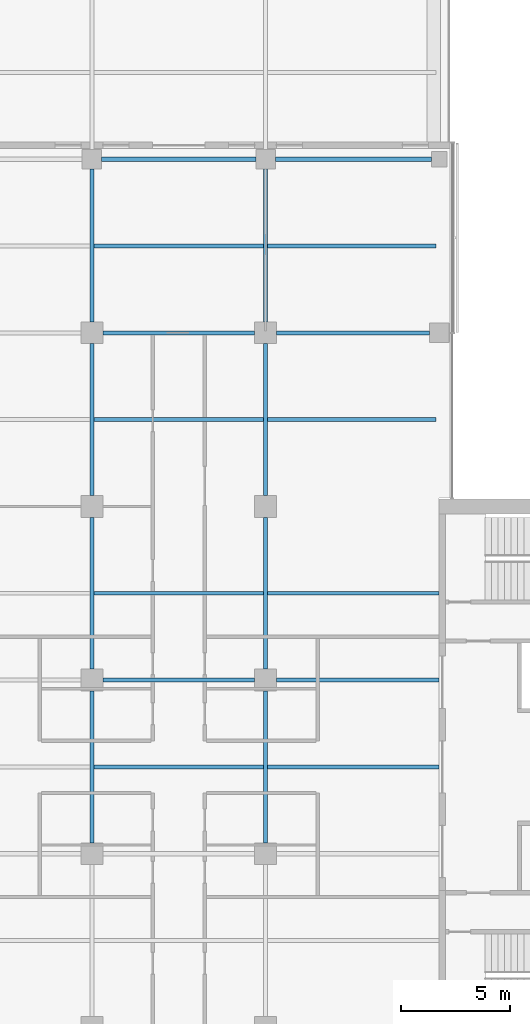
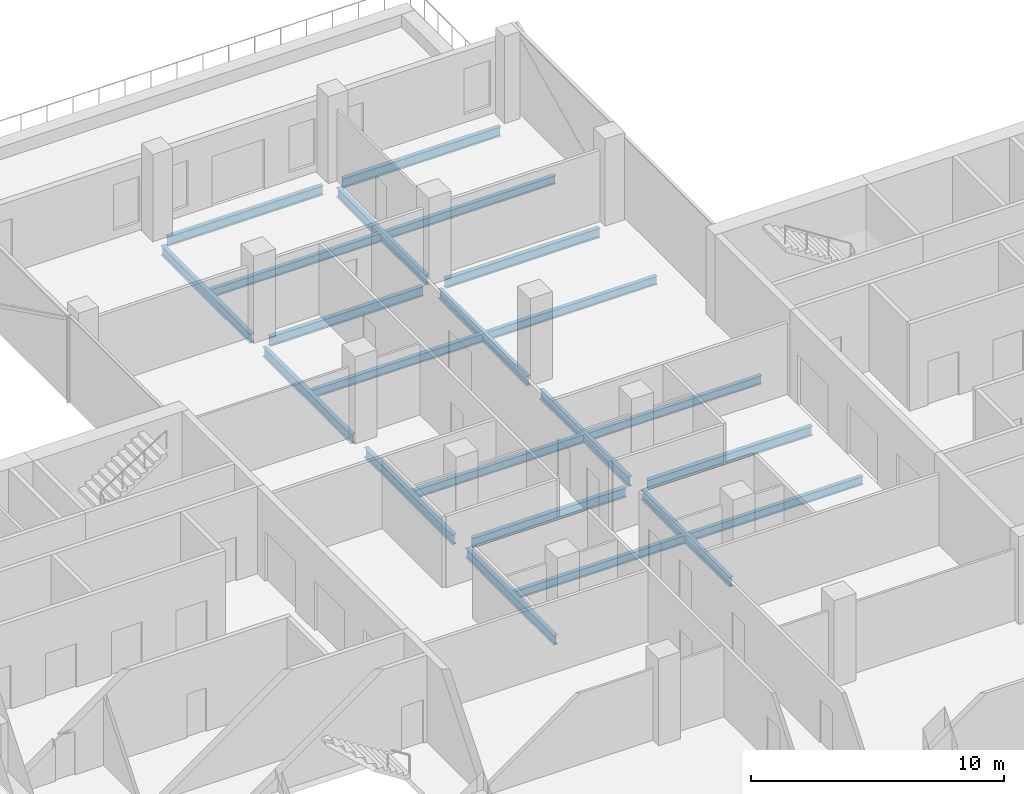
# One storey, part 10 of 24: 22 beams.
"""IFC4 building model written with IfcOpenShell, lengths in metres."""

from ifc_helpers import new_model, si_unit, direction, frame, origin, origin_2d, place, context, subcontext, project, spatial, i_section, extrude, material, material_profile, profile_set, type_object, element, save


model = new_model("IFC4")

# Units and contexts
model_context = context("Model", 3, precision=1e-05, world=origin(), true_north=direction((0.0, 1.0)))
body_context = subcontext(model_context, "Body", "Model", "MODEL_VIEW")
ifc_project = project(units=[si_unit("LENGTHUNIT", "METRE"), si_unit("AREAUNIT", "SQUARE_METRE"), si_unit("VOLUMEUNIT", "CUBIC_METRE"), si_unit("PLANEANGLEUNIT", "RADIAN"), si_unit("MASSUNIT", "GRAM", prefix="KILO")], contexts=[model_context])

# Site, building, storey
site_placement = place(None, origin())
site = spatial("IfcSite", under=ifc_project, at=site_placement, CompositionType="ELEMENT")
building_placement = place(site_placement, origin())
building = spatial("IfcBuilding", under=site, at=building_placement, Name="Crosswind Convention Tower", CompositionType="ELEMENT")
storey_placement = place(building_placement, frame((0.0, 0.0, 112.699951171875)))
storey = spatial("IfcBuildingStorey", under=building, at=storey_placement, Name="L22", CompositionType="ELEMENT", Elevation=112.699951171875)

# Beams
ifc_material = material(Name="Steel S355", Category="steel")
ifc_material_profile_1 = material_profile(ifc_material, i_section(OverallWidth=0.19140625, OverallDepth=0.460205078125, WebThickness=0.010009765625, FlangeThickness=0.01611328125, FilletRadius=0.01025390625, at=origin_2d()), Name="UB 457x191x82")
ifc_profile_set_1 = profile_set([ifc_material_profile_1], Name="Steel S355")
beam_type_1 = type_object("IfcBeamType", Name="Girder UB 457x191x82", PredefinedType="BEAM", material=ifc_profile_set_1)
for number, where, z_axis, x_axis, name in (
    (1, (121.0, 96.5, -0.530029296875), (0.0, 1.0, 0.0), (-1.0, 0.0, 0.0), "B3 L22 girder 9"),
    (2, (121.0, 104.5, -0.530029296875), (0.0, 1.0, 0.0), (-1.0, 0.0, 0.0), "B3 L22 girder 10"),
    (3, (121.0, 112.5, -0.530029296875), (0.0, 1.0, 0.0), (-1.0, 0.0, 0.0), "B3 L22 girder 11"),
):
    element("IfcBeam", number, at=place(storey_placement, frame(where, z_axis=z_axis, x_axis=x_axis)), inside=storey, type_object=beam_type_1, Name=name, PredefinedType="BEAM", context=body_context, shape_type="SweptSolid", body=[
        extrude(i_section(OverallWidth=0.19140625, OverallDepth=0.460205078125, WebThickness=0.010009765625, FlangeThickness=0.01611328125, FilletRadius=0.01025390625, at=origin_2d()), origin(), (0.0, 0.0, 1.0), 7.0),
    ])
beam_1_placement = place(storey_placement, frame((121.0, 120.5, -0.530029296875), z_axis=(0.0, 1.0, 0.0), x_axis=(-1.0, 0.0, 0.0)))
element("IfcBeam", 4, at=beam_1_placement, inside=storey, type_object=beam_type_1, Name="B3 L22 girder 12", PredefinedType="BEAM", context=body_context, shape_type="SweptSolid", body=[
    extrude(i_section(OverallWidth=0.19140625, OverallDepth=0.460205078125, WebThickness=0.010009765625, FlangeThickness=0.01611328125, FilletRadius=0.01025390625, at=origin_2d()), origin(), (0.0, 0.0, 1.0), 7.050048828125),
])
beam_2_placement = place(storey_placement, frame((121.449951171875, 128.0, -0.530029296875), z_axis=(1.0, 0.0, 0.0), x_axis=(0.0, 1.0, 0.0)))
element("IfcBeam", 5, at=beam_2_placement, inside=storey, type_object=beam_type_1, Name="B3 L22 girder 15", PredefinedType="BEAM", context=body_context, shape_type="SweptSolid", body=[
    extrude(i_section(OverallWidth=0.19140625, OverallDepth=0.460205078125, WebThickness=0.010009765625, FlangeThickness=0.01611328125, FilletRadius=0.01025390625, at=origin_2d()), origin(), (0.0, 0.0, 1.0), 7.10009765625),
])
for number, where, z_axis, x_axis, name in (
    (6, (121.5, 104.0, -0.530029296875), (1.0, 0.0, 0.0), (0.0, 1.0, 0.0), "B3 L22 girder 18"),
    (7, (121.5, 120.0, -0.530029296875), (1.0, 0.0, 0.0), (0.0, 1.0, 0.0), "B3 L22 girder 19"),
    (8, (129.0, 96.5, -0.530029296875), (0.0, 1.0, 0.0), (-1.0, 0.0, 0.0), "B3 L22 girder 24"),
    (9, (129.0, 104.5, -0.530029296875), (0.0, 1.0, 0.0), (-1.0, 0.0, 0.0), "B3 L22 girder 25"),
    (10, (129.0, 112.5, -0.530029296875), (0.0, 1.0, 0.0), (-1.0, 0.0, 0.0), "B3 L22 girder 26"),
):
    element("IfcBeam", number, at=place(storey_placement, frame(where, z_axis=z_axis, x_axis=x_axis)), inside=storey, type_object=beam_type_1, Name=name, PredefinedType="BEAM", context=body_context, shape_type="SweptSolid", body=[
        extrude(i_section(OverallWidth=0.19140625, OverallDepth=0.460205078125, WebThickness=0.010009765625, FlangeThickness=0.01611328125, FilletRadius=0.01025390625, at=origin_2d()), origin(), (0.0, 0.0, 1.0), 7.0),
    ])
beam_3_placement = place(storey_placement, frame((129.0, 120.5, -0.530029296875), z_axis=(0.0, 1.0, 0.0), x_axis=(-1.0, 0.0, 0.0)))
element("IfcBeam", 11, at=beam_3_placement, inside=storey, type_object=beam_type_1, Name="B3 L22 girder 27", PredefinedType="BEAM", context=body_context, shape_type="SweptSolid", body=[
    extrude(i_section(OverallWidth=0.19140625, OverallDepth=0.460205078125, WebThickness=0.010009765625, FlangeThickness=0.01611328125, FilletRadius=0.01025390625, at=origin_2d()), origin(), (0.0, 0.0, 1.0), 7.050048828125),
])
beam_4_placement = place(storey_placement, frame((129.449951171875, 128.0, -0.530029296875), z_axis=(1.0, 0.0, 0.0), x_axis=(0.0, 1.0, 0.0)))
element("IfcBeam", 12, at=beam_4_placement, inside=storey, type_object=beam_type_1, Name="B3 L22 girder 30", PredefinedType="BEAM", context=body_context, shape_type="SweptSolid", body=[
    extrude(i_section(OverallWidth=0.19140625, OverallDepth=0.460205078125, WebThickness=0.010009765625, FlangeThickness=0.01611328125, FilletRadius=0.01025390625, at=origin_2d()), origin(), (0.0, 0.0, 1.0), 7.199951171875),
])
beam_5_placement = place(storey_placement, frame((129.5, 120.0, -0.530029296875), z_axis=(1.0, 0.0, 0.0), x_axis=(0.0, 1.0, 0.0)))
element("IfcBeam", 13, at=beam_5_placement, inside=storey, type_object=beam_type_1, Name="B3 L22 girder 32", PredefinedType="BEAM", context=body_context, shape_type="SweptSolid", body=[
    extrude(i_section(OverallWidth=0.19140625, OverallDepth=0.460205078125, WebThickness=0.010009765625, FlangeThickness=0.01611328125, FilletRadius=0.01025390625, at=origin_2d()), origin(), (0.0, 0.0, 1.0), 7.050048828125),
])
ifc_material_profile_2 = material_profile(ifc_material, i_section(OverallWidth=0.19189453125, OverallDepth=0.463623046875, WebThickness=0.010498046875, FlangeThickness=0.017578125, FilletRadius=0.01025390625, at=origin_2d()), Name="UB 457x191x90")
ifc_profile_set_2 = profile_set([ifc_material_profile_2], Name="Steel S355")
beam_type_2 = type_object("IfcBeamType", Name="Girder at core wall UB 457x191x90", PredefinedType="BEAM", material=ifc_profile_set_2)
beam_6_placement = place(storey_placement, frame((129.5, 104.0, -0.53173828125), z_axis=(1.0, 0.0, 0.0), x_axis=(0.0, 1.0, 0.0)))
element("IfcBeam", 14, at=beam_6_placement, inside=storey, type_object=beam_type_2, Name="B24 L22 girder at core wall 6", PredefinedType="BEAM", context=body_context, shape_type="SweptSolid", body=[
    extrude(i_section(OverallWidth=0.19189453125, OverallDepth=0.463623046875, WebThickness=0.010498046875, FlangeThickness=0.017578125, FilletRadius=0.01025390625, at=origin_2d()), origin(), (0.0, 0.0, 1.0), 7.5),
])
ifc_material_profile_3 = material_profile(ifc_material, i_section(OverallWidth=0.177734375, OverallDepth=0.406494140625, WebThickness=0.0078125, FlangeThickness=0.0126953125, FilletRadius=0.01025390625, at=origin_2d()), Name="UB 406x178x60")
ifc_profile_set_3 = profile_set([ifc_material_profile_3], Name="Steel S355")
beam_type_3 = type_object("IfcBeamType", Name="Secondary beam UB 406x178x60", PredefinedType="JOIST", material=ifc_profile_set_3)
for number, where, z_axis, x_axis, name in (
    (15, (121.095703125, 100.0, -0.503173828125), (1.0, 0.0, 0.0), (0.0, 1.0, 0.0), "B10 L22 secondary beam 17"),
    (16, (121.095703125, 108.0, -0.503173828125), (1.0, 0.0, 0.0), (0.0, 1.0, 0.0), "B10 L22 secondary beam 18"),
    (17, (121.095703125, 116.0, -0.503173828125), (1.0, 0.0, 0.0), (0.0, 1.0, 0.0), "B10 L22 secondary beam 19"),
    (18, (121.095703125, 124.0, -0.503173828125), (1.0, 0.0, 0.0), (0.0, 1.0, 0.0), "B10 L22 secondary beam 20"),
):
    element("IfcBeam", number, at=place(storey_placement, frame(where, z_axis=z_axis, x_axis=x_axis)), inside=storey, type_object=beam_type_3, Name=name, PredefinedType="JOIST", context=body_context, shape_type="SweptSolid", body=[
        extrude(i_section(OverallWidth=0.177734375, OverallDepth=0.406494140625, WebThickness=0.0078125, FlangeThickness=0.0126953125, FilletRadius=0.01025390625, at=origin_2d()), origin(), (0.0, 0.0, 1.0), 7.80859375),
    ])
for number, where, z_axis, x_axis, name in (
    (19, (129.095703125, 100.0, -0.503173828125), (1.0, 0.0, 0.0), (0.0, 1.0, 0.0), "B10 L22 secondary beam 26"),
    (20, (129.095703125, 108.0, -0.503173828125), (1.0, 0.0, 0.0), (0.0, 1.0, 0.0), "B10 L22 secondary beam 27"),
):
    element("IfcBeam", number, at=place(storey_placement, frame(where, z_axis=z_axis, x_axis=x_axis)), inside=storey, type_object=beam_type_3, Name=name, PredefinedType="JOIST", context=body_context, shape_type="SweptSolid", body=[
        extrude(i_section(OverallWidth=0.177734375, OverallDepth=0.406494140625, WebThickness=0.0078125, FlangeThickness=0.0126953125, FilletRadius=0.01025390625, at=origin_2d()), origin(), (0.0, 0.0, 1.0), 7.904296875),
    ])
for number, where, z_axis, x_axis, name in (
    (21, (129.095703125, 116.0, -0.503173828125), (1.0, 0.0, 0.0), (0.0, 1.0, 0.0), "B10 L22 secondary beam 28"),
    (22, (129.095703125, 124.0, -0.503173828125), (1.0, 0.0, 0.0), (0.0, 1.0, 0.0), "B10 L22 secondary beam 29"),
):
    element("IfcBeam", number, at=place(storey_placement, frame(where, z_axis=z_axis, x_axis=x_axis)), inside=storey, type_object=beam_type_3, Name=name, PredefinedType="JOIST", context=body_context, shape_type="SweptSolid", body=[
        extrude(i_section(OverallWidth=0.177734375, OverallDepth=0.406494140625, WebThickness=0.0078125, FlangeThickness=0.0126953125, FilletRadius=0.01025390625, at=origin_2d()), origin(), (0.0, 0.0, 1.0), 7.747314453125),
    ])

save(model, "model.ifc")
